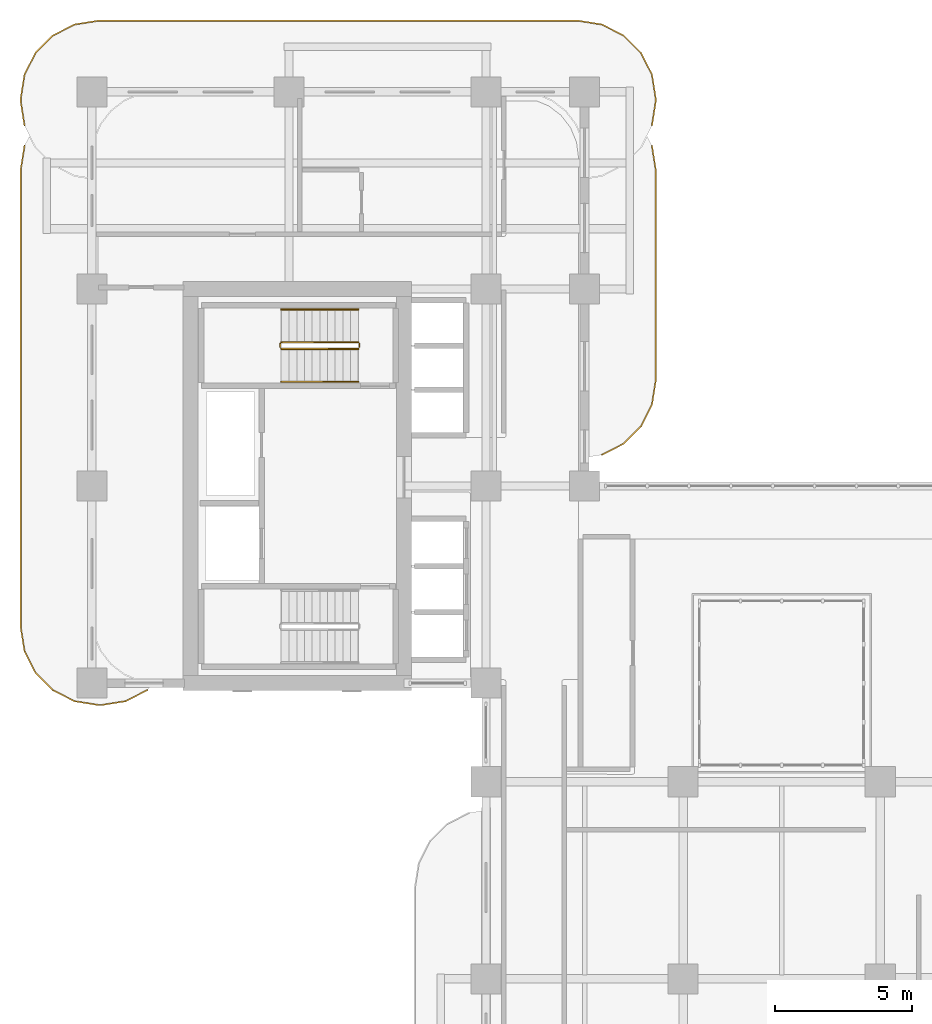
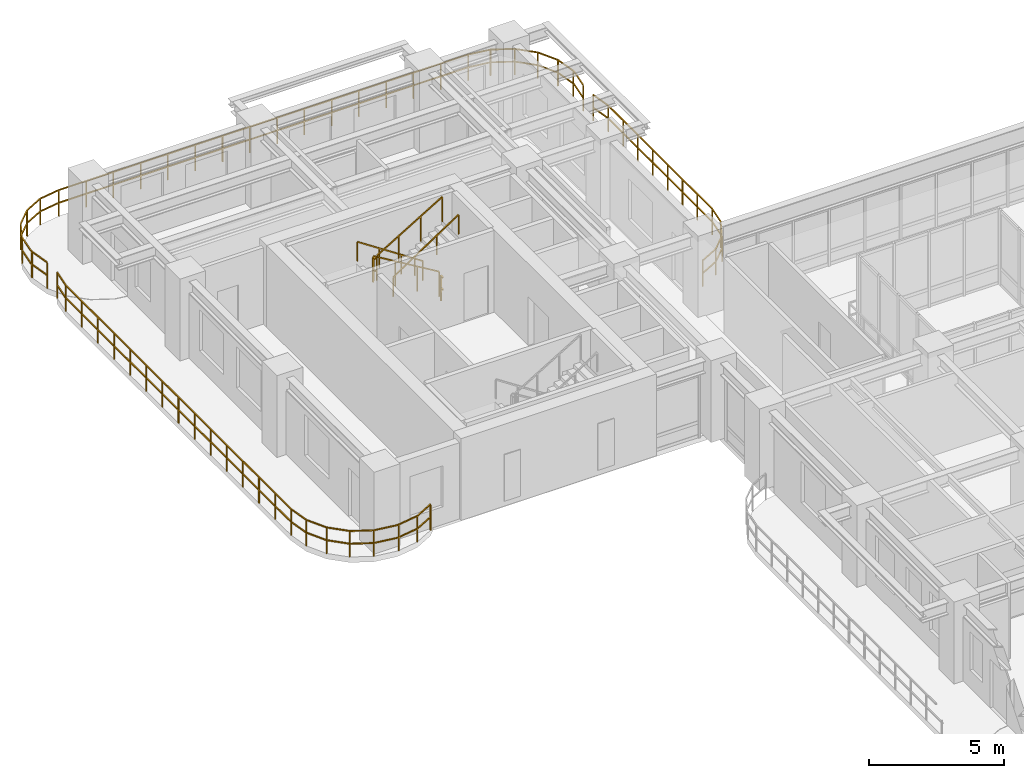
# One storey, part 22 of 22: 9 railings.
"""IFC4 building model written with IfcOpenShell, lengths in metres."""

from ifc_helpers import new_model, si_unit, derived_unit, direction, frame, origin, origin_2d, place, context, subcontext, project, spatial, rectangle, extrude, material, type_object, element, save


model = new_model("IFC4")

# Units and contexts
model_context = context("Model", 3, precision=1e-05, world=origin(), true_north=direction((0.0, 1.0)))
body_context = subcontext(model_context, "Body", "Model", "MODEL_VIEW")
ifc_project = project(units=[si_unit("LENGTHUNIT", "METRE"), si_unit("AREAUNIT", "SQUARE_METRE"), si_unit("VOLUMEUNIT", "CUBIC_METRE"), si_unit("PLANEANGLEUNIT", "RADIAN"), si_unit("MASSUNIT", "GRAM", prefix="KILO"), si_unit("THERMODYNAMICTEMPERATUREUNIT", "KELVIN"), si_unit("POWERUNIT", "WATT"), derived_unit("THERMALTRANSMITTANCEUNIT", [(si_unit("POWERUNIT", "WATT"), 1), (si_unit("AREAUNIT", "SQUARE_METRE"), -1), (si_unit("THERMODYNAMICTEMPERATUREUNIT", "KELVIN"), -1)])], contexts=[model_context])

# Site, building, storey
site_placement = place(None, origin())
site = spatial("IfcSite", under=ifc_project, at=site_placement, CompositionType="ELEMENT")
building_placement = place(site_placement, origin())
building = spatial("IfcBuilding", under=site, at=building_placement, Name="Zahravan Archway Hotel and Residences", CompositionType="ELEMENT")
storey_placement = place(building_placement, frame((0.0, 0.0, 76.800048828125)))
storey = spatial("IfcBuildingStorey", under=building, at=storey_placement, Name="L18", CompositionType="ELEMENT", Elevation=76.800048828125)

# Railings
ifc_material_1 = material(Name="Bronze & Laminated Glass Balustrade", Category="glass")
railing_type_1 = type_object("IfcRailingType", Name="RL-BAL-1200", PredefinedType="BALUSTRADE", material=ifc_material_1)
railing_1_placement = place(storey_placement, frame((-2.46044921875, 45.5693359375, 0.0)))
element("IfcRailing", 1, at=railing_1_placement, inside=storey, type_object=railing_type_1, Name="L18 Balustrade RL-SLB-BAL-L18-NB-1", PredefinedType="BALUSTRADE", context=body_context, shape_type="SweptSolid", body=[
    extrude(rectangle(XDim=0.048095703125, YDim=0.048095703125, at=origin_2d()), frame((0.0, 0.0, 1.17578125), z_axis=(-0.156623399917, 0.987658397726, 0.0), x_axis=(-0.987658397726, -0.156623399917, 0.0)), (0.0, 0.0, 1.0), 0.8916015625),
    extrude(rectangle(XDim=0.048095703125, YDim=0.048095703125, at=origin_2d()), frame((0.0, 0.0, 0.60009765625), z_axis=(-0.156623399917, 0.987658397726, 0.0), x_axis=(-0.987658397726, -0.156623399917, 0.0)), (0.0, 0.0, 1.0), 0.8916015625),
    extrude(rectangle(XDim=0.048095703125, YDim=0.048095703125, at=origin_2d()), frame((-0.1396484375, 0.880615234375, 1.17578125), z_axis=(0.0, 1.0, 0.0), x_axis=(-1.0, 0.0, 0.0)), (0.0, 0.0, 1.0), 0.10009765625),
    extrude(rectangle(XDim=0.048095703125, YDim=0.048095703125, at=origin_2d()), frame((-0.1396484375, 0.880615234375, 0.60009765625), z_axis=(0.0, 1.0, 0.0), x_axis=(-1.0, 0.0, 0.0)), (0.0, 0.0, 1.0), 0.10009765625),
    extrude(rectangle(XDim=0.048095703125, YDim=0.048095703125, at=origin_2d()), frame((-0.1396484375, 0.980712890625, 1.17578125), z_axis=(0.156623399917, 0.987658397726, 0.0), x_axis=(-0.987658397726, 0.156623399917, 0.0)), (0.0, 0.0, 1.0), 0.8916015625),
    extrude(rectangle(XDim=0.048095703125, YDim=0.048095703125, at=origin_2d()), frame((-0.1396484375, 0.980712890625, 0.60009765625), z_axis=(0.156623399917, 0.987658397726, 0.0), x_axis=(-0.987658397726, 0.156623399917, 0.0)), (0.0, 0.0, 1.0), 0.8916015625),
    extrude(rectangle(XDim=0.048095703125, YDim=0.048095703125, at=origin_2d()), frame((0.0, 1.861328125, 1.17578125), z_axis=(0.453991409995, 0.891006060389, 0.0), x_axis=(-0.891006060389, 0.453991409995, 0.0)), (0.0, 0.0, 1.0), 0.8916015625),
    extrude(rectangle(XDim=0.048095703125, YDim=0.048095703125, at=origin_2d()), frame((0.0, 1.861328125, 0.60009765625), z_axis=(0.453991409995, 0.891006060389, 0.0), x_axis=(-0.891006060389, 0.453991409995, 0.0)), (0.0, 0.0, 1.0), 0.8916015625),
    extrude(rectangle(XDim=0.048095703125, YDim=0.048095703125, at=origin_2d()), frame((0.40478515625, 2.65576171875, 1.17578125), z_axis=(0.706969864397, 0.70724367147, 0.0), x_axis=(-0.70724367147, 0.706969864397, 0.0)), (0.0, 0.0, 1.0), 0.8916015625),
    extrude(rectangle(XDim=0.048095703125, YDim=0.048095703125, at=origin_2d()), frame((0.40478515625, 2.65576171875, 0.60009765625), z_axis=(0.706969864397, 0.70724367147, 0.0), x_axis=(-0.70724367147, 0.706969864397, 0.0)), (0.0, 0.0, 1.0), 0.8916015625),
    extrude(rectangle(XDim=0.048095703125, YDim=0.048095703125, at=origin_2d()), frame((1.03515625, 3.286376953125, 1.17578125), z_axis=(0.891062476022, 0.45388067135, 0.0), x_axis=(-0.45388067135, 0.891062476022, 0.0)), (0.0, 0.0, 1.0), 0.891845703125),
    extrude(rectangle(XDim=0.048095703125, YDim=0.048095703125, at=origin_2d()), frame((1.03515625, 3.286376953125, 0.60009765625), z_axis=(0.891062476022, 0.45388067135, 0.0), x_axis=(-0.45388067135, 0.891062476022, 0.0)), (0.0, 0.0, 1.0), 0.891845703125),
    extrude(rectangle(XDim=0.048095703125, YDim=0.048095703125, at=origin_2d()), frame((1.829833984375, 3.691162109375, 1.17578125), z_axis=(0.987700720307, 0.156356282588, 0.0), x_axis=(-0.156356282588, 0.987700720307, 0.0)), (0.0, 0.0, 1.0), 0.8916015625),
    extrude(rectangle(XDim=0.048095703125, YDim=0.048095703125, at=origin_2d()), frame((1.829833984375, 3.691162109375, 0.60009765625), z_axis=(0.987700720307, 0.156356282588, 0.0), x_axis=(-0.156356282588, 0.987700720307, 0.0)), (0.0, 0.0, 1.0), 0.8916015625),
    extrude(rectangle(XDim=0.048095703125, YDim=0.048095703125, at=origin_2d()), frame((2.71044921875, 3.83056640625, 1.17578125), z_axis=(1.0, 0.0, 0.0), x_axis=(0.0, 1.0, 0.0)), (0.0, 0.0, 1.0), 17.5),
    extrude(rectangle(XDim=0.048095703125, YDim=0.048095703125, at=origin_2d()), frame((2.71044921875, 3.83056640625, 0.60009765625), z_axis=(1.0, 0.0, 0.0), x_axis=(0.0, 1.0, 0.0)), (0.0, 0.0, 1.0), 17.5),
    extrude(rectangle(XDim=0.048095703125, YDim=0.048095703125, at=origin_2d()), frame((20.21044921875, 3.83056640625, 1.17578125), z_axis=(0.987700720307, -0.156356282588, 0.0), x_axis=(0.156356282588, 0.987700720307, 0.0)), (0.0, 0.0, 1.0), 0.8916015625),
    extrude(rectangle(XDim=0.048095703125, YDim=0.048095703125, at=origin_2d()), frame((20.21044921875, 3.83056640625, 0.60009765625), z_axis=(0.987700720307, -0.156356282588, 0.0), x_axis=(0.156356282588, 0.987700720307, 0.0)), (0.0, 0.0, 1.0), 0.8916015625),
    extrude(rectangle(XDim=0.048095703125, YDim=0.048095703125, at=origin_2d()), frame((21.091064453125, 3.691162109375, 1.17578125), z_axis=(0.891062476022, -0.45388067135, 0.0), x_axis=(0.45388067135, 0.891062476022, 0.0)), (0.0, 0.0, 1.0), 0.891845703125),
    extrude(rectangle(XDim=0.048095703125, YDim=0.048095703125, at=origin_2d()), frame((21.091064453125, 3.691162109375, 0.60009765625), z_axis=(0.891062476022, -0.45388067135, 0.0), x_axis=(0.45388067135, 0.891062476022, 0.0)), (0.0, 0.0, 1.0), 0.891845703125),
    extrude(rectangle(XDim=0.048095703125, YDim=0.048095703125, at=origin_2d()), frame((21.8857421875, 3.286376953125, 1.17578125), z_axis=(0.706969864397, -0.70724367147, 0.0), x_axis=(0.70724367147, 0.706969864397, 0.0)), (0.0, 0.0, 1.0), 0.8916015625),
    extrude(rectangle(XDim=0.048095703125, YDim=0.048095703125, at=origin_2d()), frame((21.8857421875, 3.286376953125, 0.60009765625), z_axis=(0.706969864397, -0.70724367147, 0.0), x_axis=(0.70724367147, 0.706969864397, 0.0)), (0.0, 0.0, 1.0), 0.8916015625),
    extrude(rectangle(XDim=0.048095703125, YDim=0.048095703125, at=origin_2d()), frame((22.51611328125, 2.65576171875, 1.17578125), z_axis=(0.453991409995, -0.891006060389, 0.0), x_axis=(0.891006060389, 0.453991409995, 0.0)), (0.0, 0.0, 1.0), 0.8916015625),
    extrude(rectangle(XDim=0.048095703125, YDim=0.048095703125, at=origin_2d()), frame((22.51611328125, 2.65576171875, 0.60009765625), z_axis=(0.453991409995, -0.891006060389, 0.0), x_axis=(0.891006060389, 0.453991409995, 0.0)), (0.0, 0.0, 1.0), 0.8916015625),
    extrude(rectangle(XDim=0.048095703125, YDim=0.048095703125, at=origin_2d()), frame((22.9208984375, 1.861328125, 1.17578125), z_axis=(0.156623399917, -0.987658397726, 0.0), x_axis=(0.987658397726, 0.156623399917, 0.0)), (0.0, 0.0, 1.0), 0.8916015625),
    extrude(rectangle(XDim=0.048095703125, YDim=0.048095703125, at=origin_2d()), frame((22.9208984375, 1.861328125, 0.60009765625), z_axis=(0.156623399917, -0.987658397726, 0.0), x_axis=(0.987658397726, 0.156623399917, 0.0)), (0.0, 0.0, 1.0), 0.8916015625),
    extrude(rectangle(XDim=0.048095703125, YDim=0.048095703125, at=origin_2d()), frame((23.060546875, 0.980712890625, 1.17578125), z_axis=(0.0, -1.0, 0.0), x_axis=(1.0, 0.0, 0.0)), (0.0, 0.0, 1.0), 0.10009765625),
    extrude(rectangle(XDim=0.048095703125, YDim=0.048095703125, at=origin_2d()), frame((23.060546875, 0.980712890625, 0.60009765625), z_axis=(0.0, -1.0, 0.0), x_axis=(1.0, 0.0, 0.0)), (0.0, 0.0, 1.0), 0.10009765625),
    extrude(rectangle(XDim=0.048095703125, YDim=0.048095703125, at=origin_2d()), frame((23.060546875, 0.880615234375, 1.17578125), z_axis=(-0.156623399917, -0.987658397726, 0.0), x_axis=(0.987658397726, -0.156623399917, 0.0)), (0.0, 0.0, 1.0), 0.8916015625),
    extrude(rectangle(XDim=0.048095703125, YDim=0.048095703125, at=origin_2d()), frame((23.060546875, 0.880615234375, 0.60009765625), z_axis=(-0.156623399917, -0.987658397726, 0.0), x_axis=(0.987658397726, -0.156623399917, 0.0)), (0.0, 0.0, 1.0), 0.8916015625),
    extrude(rectangle(XDim=0.0419921875, YDim=0.0419921875, at=origin_2d()), origin(), (0.0, 0.0, 1.0), 1.15185546875),
    extrude(rectangle(XDim=0.0419921875, YDim=0.0419921875, at=origin_2d()), frame((-0.1396484375, 0.880615234375, 0.0)), (0.0, 0.0, 1.0), 1.15185546875),
    extrude(rectangle(XDim=0.0419921875, YDim=0.0419921875, at=origin_2d()), frame((0.0, 1.861328125, 0.0)), (0.0, 0.0, 1.0), 1.15185546875),
    extrude(rectangle(XDim=0.0419921875, YDim=0.0419921875, at=origin_2d()), frame((0.40478515625, 2.65576171875, 0.0)), (0.0, 0.0, 1.0), 1.15185546875),
    extrude(rectangle(XDim=0.0419921875, YDim=0.0419921875, at=origin_2d()), frame((1.03515625, 3.286376953125, 0.0)), (0.0, 0.0, 1.0), 1.15185546875),
    extrude(rectangle(XDim=0.0419921875, YDim=0.0419921875, at=origin_2d()), frame((1.829833984375, 3.691162109375, 0.0)), (0.0, 0.0, 1.0), 1.15185546875),
    extrude(rectangle(XDim=0.0419921875, YDim=0.0419921875, at=origin_2d()), frame((2.71044921875, 3.83056640625, 0.0)), (0.0, 0.0, 1.0), 1.15185546875),
    extrude(rectangle(XDim=0.0419921875, YDim=0.0419921875, at=origin_2d()), frame((3.877197265625, 3.83056640625, 0.0)), (0.0, 0.0, 1.0), 1.15185546875),
    extrude(rectangle(XDim=0.0419921875, YDim=0.0419921875, at=origin_2d()), frame((5.043701171875, 3.83056640625, 0.0)), (0.0, 0.0, 1.0), 1.15185546875),
    extrude(rectangle(XDim=0.0419921875, YDim=0.0419921875, at=origin_2d()), frame((6.21044921875, 3.83056640625, 0.0)), (0.0, 0.0, 1.0), 1.15185546875),
    extrude(rectangle(XDim=0.0419921875, YDim=0.0419921875, at=origin_2d()), frame((7.377197265625, 3.83056640625, 0.0)), (0.0, 0.0, 1.0), 1.15185546875),
    extrude(rectangle(XDim=0.0419921875, YDim=0.0419921875, at=origin_2d()), frame((8.543701171875, 3.83056640625, 0.0)), (0.0, 0.0, 1.0), 1.15185546875),
    extrude(rectangle(XDim=0.0419921875, YDim=0.0419921875, at=origin_2d()), frame((9.71044921875, 3.83056640625, 0.0)), (0.0, 0.0, 1.0), 1.15185546875),
    extrude(rectangle(XDim=0.0419921875, YDim=0.0419921875, at=origin_2d()), frame((10.877197265625, 3.83056640625, 0.0)), (0.0, 0.0, 1.0), 1.15185546875),
    extrude(rectangle(XDim=0.0419921875, YDim=0.0419921875, at=origin_2d()), frame((12.043701171875, 3.83056640625, 0.0)), (0.0, 0.0, 1.0), 1.15185546875),
    extrude(rectangle(XDim=0.0419921875, YDim=0.0419921875, at=origin_2d()), frame((13.21044921875, 3.83056640625, 0.0)), (0.0, 0.0, 1.0), 1.15185546875),
    extrude(rectangle(XDim=0.0419921875, YDim=0.0419921875, at=origin_2d()), frame((14.377197265625, 3.83056640625, 0.0)), (0.0, 0.0, 1.0), 1.15185546875),
    extrude(rectangle(XDim=0.0419921875, YDim=0.0419921875, at=origin_2d()), frame((15.543701171875, 3.83056640625, 0.0)), (0.0, 0.0, 1.0), 1.15185546875),
    extrude(rectangle(XDim=0.0419921875, YDim=0.0419921875, at=origin_2d()), frame((16.71044921875, 3.83056640625, 0.0)), (0.0, 0.0, 1.0), 1.15185546875),
    extrude(rectangle(XDim=0.0419921875, YDim=0.0419921875, at=origin_2d()), frame((17.877197265625, 3.83056640625, 0.0)), (0.0, 0.0, 1.0), 1.15185546875),
    extrude(rectangle(XDim=0.0419921875, YDim=0.0419921875, at=origin_2d()), frame((19.043701171875, 3.83056640625, 0.0)), (0.0, 0.0, 1.0), 1.15185546875),
    extrude(rectangle(XDim=0.0419921875, YDim=0.0419921875, at=origin_2d()), frame((20.21044921875, 3.83056640625, 0.0)), (0.0, 0.0, 1.0), 1.15185546875),
    extrude(rectangle(XDim=0.0419921875, YDim=0.0419921875, at=origin_2d()), frame((21.091064453125, 3.691162109375, 0.0)), (0.0, 0.0, 1.0), 1.15185546875),
    extrude(rectangle(XDim=0.0419921875, YDim=0.0419921875, at=origin_2d()), frame((21.8857421875, 3.286376953125, 0.0)), (0.0, 0.0, 1.0), 1.15185546875),
    extrude(rectangle(XDim=0.0419921875, YDim=0.0419921875, at=origin_2d()), frame((22.51611328125, 2.65576171875, 0.0)), (0.0, 0.0, 1.0), 1.15185546875),
    extrude(rectangle(XDim=0.0419921875, YDim=0.0419921875, at=origin_2d()), frame((22.9208984375, 1.861328125, 0.0)), (0.0, 0.0, 1.0), 1.15185546875),
    extrude(rectangle(XDim=0.0419921875, YDim=0.0419921875, at=origin_2d()), frame((23.060546875, 0.980712890625, 0.0)), (0.0, 0.0, 1.0), 1.15185546875),
    extrude(rectangle(XDim=0.0419921875, YDim=0.0419921875, at=origin_2d()), frame((22.9208984375, 0.0, 0.0)), (0.0, 0.0, 1.0), 1.15185546875),
])
railing_2_placement = place(storey_placement, frame((2.025146484375, 24.9443359375, 0.0)))
element("IfcRailing", 2, at=railing_2_placement, inside=storey, type_object=railing_type_1, Name="L18 Balustrade RL-SLB-BAL-L18-WB-1", PredefinedType="BALUSTRADE", context=body_context, shape_type="SweptSolid", body=[
    extrude(rectangle(XDim=0.048095703125, YDim=0.048095703125, at=origin_2d()), frame((0.0, 0.0, 1.17578125), z_axis=(-0.891006060389, -0.453991409995, 0.0), x_axis=(0.453991409995, -0.891006060389, 0.0)), (0.0, 0.0, 1.0), 0.8916015625),
    extrude(rectangle(XDim=0.048095703125, YDim=0.048095703125, at=origin_2d()), frame((0.0, 0.0, 0.60009765625), z_axis=(-0.891006060389, -0.453991409995, 0.0), x_axis=(0.453991409995, -0.891006060389, 0.0)), (0.0, 0.0, 1.0), 0.8916015625),
    extrude(rectangle(XDim=0.048095703125, YDim=0.048095703125, at=origin_2d()), frame((-0.79443359375, -0.40478515625, 1.17578125), z_axis=(-0.987658397726, -0.156623399917, 0.0), x_axis=(0.156623399917, -0.987658397726, 0.0)), (0.0, 0.0, 1.0), 0.8916015625),
    extrude(rectangle(XDim=0.048095703125, YDim=0.048095703125, at=origin_2d()), frame((-0.79443359375, -0.40478515625, 0.60009765625), z_axis=(-0.987658397726, -0.156623399917, 0.0), x_axis=(0.156623399917, -0.987658397726, 0.0)), (0.0, 0.0, 1.0), 0.8916015625),
    extrude(rectangle(XDim=0.048095703125, YDim=0.048095703125, at=origin_2d()), frame((-1.675048828125, -0.54443359375, 1.17578125), z_axis=(-1.0, 0.0, 0.0), x_axis=(0.0, -1.0, 0.0)), (0.0, 0.0, 1.0), 0.10009765625),
    extrude(rectangle(XDim=0.048095703125, YDim=0.048095703125, at=origin_2d()), frame((-1.675048828125, -0.54443359375, 0.60009765625), z_axis=(-1.0, 0.0, 0.0), x_axis=(0.0, -1.0, 0.0)), (0.0, 0.0, 1.0), 0.10009765625),
    extrude(rectangle(XDim=0.048095703125, YDim=0.048095703125, at=origin_2d()), frame((-1.775146484375, -0.54443359375, 1.17578125), z_axis=(-0.987658397726, 0.156623399917, 0.0), x_axis=(-0.156623399917, -0.987658397726, 0.0)), (0.0, 0.0, 1.0), 0.8916015625),
    extrude(rectangle(XDim=0.048095703125, YDim=0.048095703125, at=origin_2d()), frame((-1.775146484375, -0.54443359375, 0.60009765625), z_axis=(-0.987658397726, 0.156623399917, 0.0), x_axis=(-0.156623399917, -0.987658397726, 0.0)), (0.0, 0.0, 1.0), 0.8916015625),
    extrude(rectangle(XDim=0.048095703125, YDim=0.048095703125, at=origin_2d()), frame((-2.65576171875, -0.40478515625, 1.17578125), z_axis=(-0.891062476022, 0.45388067135, 0.0), x_axis=(-0.45388067135, -0.891062476022, 0.0)), (0.0, 0.0, 1.0), 0.891845703125),
    extrude(rectangle(XDim=0.048095703125, YDim=0.048095703125, at=origin_2d()), frame((-2.65576171875, -0.40478515625, 0.60009765625), z_axis=(-0.891062476022, 0.45388067135, 0.0), x_axis=(-0.45388067135, -0.891062476022, 0.0)), (0.0, 0.0, 1.0), 0.891845703125),
    extrude(rectangle(XDim=0.048095703125, YDim=0.048095703125, at=origin_2d()), frame((-3.450439453125, 0.0, 1.17578125), z_axis=(-0.707106781187, 0.707106781187, 0.0), x_axis=(-0.707106781187, -0.707106781187, 0.0)), (0.0, 0.0, 1.0), 0.891357421875),
    extrude(rectangle(XDim=0.048095703125, YDim=0.048095703125, at=origin_2d()), frame((-3.450439453125, 0.0, 0.60009765625), z_axis=(-0.707106781187, 0.707106781187, 0.0), x_axis=(-0.707106781187, -0.707106781187, 0.0)), (0.0, 0.0, 1.0), 0.891357421875),
    extrude(rectangle(XDim=0.048095703125, YDim=0.048095703125, at=origin_2d()), frame((-4.080810546875, 0.63037109375, 1.17578125), z_axis=(-0.45388067135, 0.891062476022, 0.0), x_axis=(-0.891062476022, -0.45388067135, 0.0)), (0.0, 0.0, 1.0), 0.891845703125),
    extrude(rectangle(XDim=0.048095703125, YDim=0.048095703125, at=origin_2d()), frame((-4.080810546875, 0.63037109375, 0.60009765625), z_axis=(-0.45388067135, 0.891062476022, 0.0), x_axis=(-0.891062476022, -0.45388067135, 0.0)), (0.0, 0.0, 1.0), 0.891845703125),
    extrude(rectangle(XDim=0.048095703125, YDim=0.048095703125, at=origin_2d()), frame((-4.485595703125, 1.425048828125, 1.17578125), z_axis=(-0.156623399917, 0.987658397726, 0.0), x_axis=(-0.987658397726, -0.156623399917, 0.0)), (0.0, 0.0, 1.0), 0.8916015625),
    extrude(rectangle(XDim=0.048095703125, YDim=0.048095703125, at=origin_2d()), frame((-4.485595703125, 1.425048828125, 0.60009765625), z_axis=(-0.156623399917, 0.987658397726, 0.0), x_axis=(-0.987658397726, -0.156623399917, 0.0)), (0.0, 0.0, 1.0), 0.8916015625),
    extrude(rectangle(XDim=0.048095703125, YDim=0.048095703125, at=origin_2d()), frame((-4.625244140625, 2.3056640625, 1.17578125), z_axis=(0.0, 1.0, 0.0), x_axis=(-1.0, 0.0, 0.0)), (0.0, 0.0, 1.0), 16.699951171875),
    extrude(rectangle(XDim=0.048095703125, YDim=0.048095703125, at=origin_2d()), frame((-4.625244140625, 2.3056640625, 0.60009765625), z_axis=(0.0, 1.0, 0.0), x_axis=(-1.0, 0.0, 0.0)), (0.0, 0.0, 1.0), 16.699951171875),
    extrude(rectangle(XDim=0.048095703125, YDim=0.048095703125, at=origin_2d()), frame((-4.625244140625, 19.005615234375, 1.17578125), z_axis=(0.156581054338, 0.98766511198, 0.0), x_axis=(-0.98766511198, 0.156581054338, 0.0)), (0.0, 0.0, 1.0), 0.891845703125),
    extrude(rectangle(XDim=0.048095703125, YDim=0.048095703125, at=origin_2d()), frame((-4.625244140625, 19.005615234375, 0.60009765625), z_axis=(0.156581054338, 0.98766511198, 0.0), x_axis=(-0.98766511198, 0.156581054338, 0.0)), (0.0, 0.0, 1.0), 0.891845703125),
    extrude(rectangle(XDim=0.0419921875, YDim=0.0419921875, at=origin_2d()), origin(), (0.0, 0.0, 1.0), 1.15185546875),
    extrude(rectangle(XDim=0.0419921875, YDim=0.0419921875, at=origin_2d()), frame((-0.79443359375, -0.40478515625, 0.0)), (0.0, 0.0, 1.0), 1.15185546875),
    extrude(rectangle(XDim=0.0419921875, YDim=0.0419921875, at=origin_2d()), frame((-1.675048828125, -0.54443359375, 0.0)), (0.0, 0.0, 1.0), 1.15185546875),
    extrude(rectangle(XDim=0.0419921875, YDim=0.0419921875, at=origin_2d()), frame((-2.65576171875, -0.40478515625, 0.0)), (0.0, 0.0, 1.0), 1.15185546875),
    extrude(rectangle(XDim=0.0419921875, YDim=0.0419921875, at=origin_2d()), frame((-3.450439453125, 0.0, 0.0)), (0.0, 0.0, 1.0), 1.15185546875),
    extrude(rectangle(XDim=0.0419921875, YDim=0.0419921875, at=origin_2d()), frame((-4.080810546875, 0.63037109375, 0.0)), (0.0, 0.0, 1.0), 1.15185546875),
    extrude(rectangle(XDim=0.0419921875, YDim=0.0419921875, at=origin_2d()), frame((-4.485595703125, 1.425048828125, 0.0)), (0.0, 0.0, 1.0), 1.15185546875),
    extrude(rectangle(XDim=0.0419921875, YDim=0.0419921875, at=origin_2d()), frame((-4.625244140625, 2.3056640625, 0.0)), (0.0, 0.0, 1.0), 1.15185546875),
    extrude(rectangle(XDim=0.0419921875, YDim=0.0419921875, at=origin_2d()), frame((-4.625244140625, 3.49853515625, 0.0)), (0.0, 0.0, 1.0), 1.15185546875),
    extrude(rectangle(XDim=0.0419921875, YDim=0.0419921875, at=origin_2d()), frame((-4.625244140625, 4.69140625, 0.0)), (0.0, 0.0, 1.0), 1.15185546875),
    extrude(rectangle(XDim=0.0419921875, YDim=0.0419921875, at=origin_2d()), frame((-4.625244140625, 5.88427734375, 0.0)), (0.0, 0.0, 1.0), 1.15185546875),
    extrude(rectangle(XDim=0.0419921875, YDim=0.0419921875, at=origin_2d()), frame((-4.625244140625, 7.0771484375, 0.0)), (0.0, 0.0, 1.0), 1.15185546875),
    extrude(rectangle(XDim=0.0419921875, YDim=0.0419921875, at=origin_2d()), frame((-4.625244140625, 8.27001953125, 0.0)), (0.0, 0.0, 1.0), 1.15185546875),
    extrude(rectangle(XDim=0.0419921875, YDim=0.0419921875, at=origin_2d()), frame((-4.625244140625, 9.462890625, 0.0)), (0.0, 0.0, 1.0), 1.15185546875),
    extrude(rectangle(XDim=0.0419921875, YDim=0.0419921875, at=origin_2d()), frame((-4.625244140625, 10.65576171875, 0.0)), (0.0, 0.0, 1.0), 1.15185546875),
    extrude(rectangle(XDim=0.0419921875, YDim=0.0419921875, at=origin_2d()), frame((-4.625244140625, 11.848388671875, 0.0)), (0.0, 0.0, 1.0), 1.15185546875),
    extrude(rectangle(XDim=0.0419921875, YDim=0.0419921875, at=origin_2d()), frame((-4.625244140625, 13.041259765625, 0.0)), (0.0, 0.0, 1.0), 1.15185546875),
    extrude(rectangle(XDim=0.0419921875, YDim=0.0419921875, at=origin_2d()), frame((-4.625244140625, 14.234130859375, 0.0)), (0.0, 0.0, 1.0), 1.15185546875),
    extrude(rectangle(XDim=0.0419921875, YDim=0.0419921875, at=origin_2d()), frame((-4.625244140625, 15.427001953125, 0.0)), (0.0, 0.0, 1.0), 1.15185546875),
    extrude(rectangle(XDim=0.0419921875, YDim=0.0419921875, at=origin_2d()), frame((-4.625244140625, 16.619873046875, 0.0)), (0.0, 0.0, 1.0), 1.15185546875),
    extrude(rectangle(XDim=0.0419921875, YDim=0.0419921875, at=origin_2d()), frame((-4.625244140625, 17.812744140625, 0.0)), (0.0, 0.0, 1.0), 1.15185546875),
    extrude(rectangle(XDim=0.0419921875, YDim=0.0419921875, at=origin_2d()), frame((-4.625244140625, 19.005615234375, 0.0)), (0.0, 0.0, 1.0), 1.15185546875),
    extrude(rectangle(XDim=0.0419921875, YDim=0.0419921875, at=origin_2d()), frame((-4.485595703125, 19.886474609375, 0.0)), (0.0, 0.0, 1.0), 1.15185546875),
])
railing_3_placement = place(storey_placement, frame((20.46044921875, 44.830810546875, 0.0)))
element("IfcRailing", 3, at=railing_3_placement, inside=storey, type_object=railing_type_1, Name="L18 Balustrade RL-SLB-BAL-L18-EB-1", PredefinedType="BALUSTRADE", context=body_context, shape_type="SweptSolid", body=[
    extrude(rectangle(XDim=0.048095703125, YDim=0.048095703125, at=origin_2d()), frame((0.0, 0.0, 1.17578125), z_axis=(0.156581054338, -0.98766511198, 0.0), x_axis=(0.98766511198, 0.156581054338, 0.0)), (0.0, 0.0, 1.0), 0.891845703125),
    extrude(rectangle(XDim=0.048095703125, YDim=0.048095703125, at=origin_2d()), frame((0.0, 0.0, 0.60009765625), z_axis=(0.156581054338, -0.98766511198, 0.0), x_axis=(0.98766511198, 0.156581054338, 0.0)), (0.0, 0.0, 1.0), 0.891845703125),
    extrude(rectangle(XDim=0.048095703125, YDim=0.048095703125, at=origin_2d()), frame((0.1396484375, -0.880859375, 1.17578125), z_axis=(0.0, -1.0, 0.0), x_axis=(1.0, 0.0, 0.0)), (0.0, 0.0, 1.0), 7.699951171875),
    extrude(rectangle(XDim=0.048095703125, YDim=0.048095703125, at=origin_2d()), frame((0.1396484375, -0.880859375, 0.60009765625), z_axis=(0.0, -1.0, 0.0), x_axis=(1.0, 0.0, 0.0)), (0.0, 0.0, 1.0), 7.699951171875),
    extrude(rectangle(XDim=0.048095703125, YDim=0.048095703125, at=origin_2d()), frame((0.1396484375, -8.580810546875, 1.17578125), z_axis=(-0.156623399917, -0.987658397726, 0.0), x_axis=(0.987658397726, -0.156623399917, 0.0)), (0.0, 0.0, 1.0), 0.8916015625),
    extrude(rectangle(XDim=0.048095703125, YDim=0.048095703125, at=origin_2d()), frame((0.1396484375, -8.580810546875, 0.60009765625), z_axis=(-0.156623399917, -0.987658397726, 0.0), x_axis=(0.987658397726, -0.156623399917, 0.0)), (0.0, 0.0, 1.0), 0.8916015625),
    extrude(rectangle(XDim=0.048095703125, YDim=0.048095703125, at=origin_2d()), frame((0.0, -9.46142578125, 1.17578125), z_axis=(-0.45388067135, -0.891062476022, 0.0), x_axis=(0.891062476022, -0.45388067135, 0.0)), (0.0, 0.0, 1.0), 0.891845703125),
    extrude(rectangle(XDim=0.048095703125, YDim=0.048095703125, at=origin_2d()), frame((0.0, -9.46142578125, 0.60009765625), z_axis=(-0.45388067135, -0.891062476022, 0.0), x_axis=(0.891062476022, -0.45388067135, 0.0)), (0.0, 0.0, 1.0), 0.891845703125),
    extrude(rectangle(XDim=0.048095703125, YDim=0.048095703125, at=origin_2d()), frame((-0.40478515625, -10.256103515625, 1.17578125), z_axis=(-0.707106781187, -0.707106781187, 0.0), x_axis=(0.707106781187, -0.707106781187, 0.0)), (0.0, 0.0, 1.0), 0.891357421875),
    extrude(rectangle(XDim=0.048095703125, YDim=0.048095703125, at=origin_2d()), frame((-0.40478515625, -10.256103515625, 0.60009765625), z_axis=(-0.707106781187, -0.707106781187, 0.0), x_axis=(0.707106781187, -0.707106781187, 0.0)), (0.0, 0.0, 1.0), 0.891357421875),
    extrude(rectangle(XDim=0.048095703125, YDim=0.048095703125, at=origin_2d()), frame((-1.03515625, -10.886474609375, 1.17578125), z_axis=(-0.891062476022, -0.45388067135, 0.0), x_axis=(0.45388067135, -0.891062476022, 0.0)), (0.0, 0.0, 1.0), 0.891845703125),
    extrude(rectangle(XDim=0.048095703125, YDim=0.048095703125, at=origin_2d()), frame((-1.03515625, -10.886474609375, 0.60009765625), z_axis=(-0.891062476022, -0.45388067135, 0.0), x_axis=(0.45388067135, -0.891062476022, 0.0)), (0.0, 0.0, 1.0), 0.891845703125),
    extrude(rectangle(XDim=0.0419921875, YDim=0.0419921875, at=origin_2d()), origin(), (0.0, 0.0, 1.0), 1.15185546875),
    extrude(rectangle(XDim=0.0419921875, YDim=0.0419921875, at=origin_2d()), frame((0.1396484375, -0.880859375, 0.0)), (0.0, 0.0, 1.0), 1.15185546875),
    extrude(rectangle(XDim=0.0419921875, YDim=0.0419921875, at=origin_2d()), frame((0.1396484375, -1.98095703125, 0.0)), (0.0, 0.0, 1.0), 1.15185546875),
    extrude(rectangle(XDim=0.0419921875, YDim=0.0419921875, at=origin_2d()), frame((0.1396484375, -3.080810546875, 0.0)), (0.0, 0.0, 1.0), 1.15185546875),
    extrude(rectangle(XDim=0.0419921875, YDim=0.0419921875, at=origin_2d()), frame((0.1396484375, -4.180908203125, 0.0)), (0.0, 0.0, 1.0), 1.15185546875),
    extrude(rectangle(XDim=0.0419921875, YDim=0.0419921875, at=origin_2d()), frame((0.1396484375, -5.28076171875, 0.0)), (0.0, 0.0, 1.0), 1.15185546875),
    extrude(rectangle(XDim=0.0419921875, YDim=0.0419921875, at=origin_2d()), frame((0.1396484375, -6.380859375, 0.0)), (0.0, 0.0, 1.0), 1.15185546875),
    extrude(rectangle(XDim=0.0419921875, YDim=0.0419921875, at=origin_2d()), frame((0.1396484375, -7.480712890625, 0.0)), (0.0, 0.0, 1.0), 1.15185546875),
    extrude(rectangle(XDim=0.0419921875, YDim=0.0419921875, at=origin_2d()), frame((0.1396484375, -8.580810546875, 0.0)), (0.0, 0.0, 1.0), 1.15185546875),
    extrude(rectangle(XDim=0.0419921875, YDim=0.0419921875, at=origin_2d()), frame((0.0, -9.46142578125, 0.0)), (0.0, 0.0, 1.0), 1.15185546875),
    extrude(rectangle(XDim=0.0419921875, YDim=0.0419921875, at=origin_2d()), frame((-0.40478515625, -10.256103515625, 0.0)), (0.0, 0.0, 1.0), 1.15185546875),
    extrude(rectangle(XDim=0.0419921875, YDim=0.0419921875, at=origin_2d()), frame((-1.03515625, -10.886474609375, 0.0)), (0.0, 0.0, 1.0), 1.15185546875),
    extrude(rectangle(XDim=0.0419921875, YDim=0.0419921875, at=origin_2d()), frame((-1.829833984375, -11.291259765625, 0.0)), (0.0, 0.0, 1.0), 1.15185546875),
])
ifc_material_2 = material(Name="Painted Tubular Steel", Category="steel")
railing_type_2 = type_object("IfcRailingType", Name="RL-STG-1150", PredefinedType="GUARDRAIL", material=ifc_material_2)
railing_4_placement = place(storey_placement, frame((9.72998046875, 37.64990234375, 0.168212890625)))
element("IfcRailing", 4, at=railing_4_placement, inside=storey, type_object=railing_type_2, Name="L18 ST-B2 stair guard 1", PredefinedType="GUARDRAIL", context=body_context, shape_type="SweptSolid", body=[
    extrude(rectangle(XDim=0.048095703125, YDim=0.048095703125, at=origin_2d()), frame((0.0, 0.0, 1.1259765625), z_axis=(-0.857275202839, 0.0, 0.514858452973), x_axis=(0.0, -1.0, 0.0)), (0.0, 0.0, 1.0), 3.26611328125),
    extrude(rectangle(XDim=0.0419921875, YDim=0.0419921875, at=origin_2d()), origin(), (0.0, 0.0, 1.0), 1.101806640625),
    extrude(rectangle(XDim=0.0419921875, YDim=0.0419921875, at=origin_2d()), frame((-0.933349609375, 0.0, 0.560546875)), (0.0, 0.0, 1.0), 1.101806640625),
    extrude(rectangle(XDim=0.0419921875, YDim=0.0419921875, at=origin_2d()), frame((-1.86669921875, 0.0, 1.12109375)), (0.0, 0.0, 1.0), 1.101806640625),
    extrude(rectangle(XDim=0.0419921875, YDim=0.0419921875, at=origin_2d()), frame((-2.800048828125, 0.0, 1.681640625)), (0.0, 0.0, 1.0), 1.101806640625),
])
railing_5_placement = place(storey_placement, frame((6.8798828125, 37.60009765625, 1.849853515625)))
element("IfcRailing", 5, at=railing_5_placement, inside=storey, type_object=railing_type_2, Name="L18 ST-B2 stair guard 2", PredefinedType="GUARDRAIL", context=body_context, shape_type="SweptSolid", body=[
    extrude(rectangle(XDim=0.048095703125, YDim=0.048095703125, at=origin_2d()), frame((0.0, 0.0, 1.1259765625), z_axis=(0.0, -1.0, 0.0), x_axis=(1.0, 0.0, 0.0)), (0.0, 0.0, 1.0), 0.14013671875),
    extrude(rectangle(XDim=0.048095703125, YDim=0.048095703125, at=origin_2d()), frame((0.0, 0.0, 0.574951171875), z_axis=(0.0, -1.0, 0.0), x_axis=(1.0, 0.0, 0.0)), (0.0, 0.0, 1.0), 0.14013671875),
    extrude(rectangle(XDim=0.0419921875, YDim=0.0419921875, at=origin_2d()), origin(), (0.0, 0.0, 1.0), 1.101806640625),
])
railing_6_placement = place(storey_placement, frame((6.929931640625, 37.409912109375, 2.01806640625)))
element("IfcRailing", 6, at=railing_6_placement, inside=storey, type_object=railing_type_2, Name="L18 ST-B2 stair guard 3", PredefinedType="GUARDRAIL", context=body_context, shape_type="SweptSolid", body=[
    extrude(rectangle(XDim=0.048095703125, YDim=0.048095703125, at=origin_2d()), frame((0.0, 0.0, 1.1259765625), z_axis=(0.857242210791, 0.0, 0.514913383045), x_axis=(0.0, 1.0, 0.0)), (0.0, 0.0, 1.0), 3.266357421875),
    extrude(rectangle(XDim=0.0419921875, YDim=0.0419921875, at=origin_2d()), origin(), (0.0, 0.0, 1.0), 1.101806640625),
    extrude(rectangle(XDim=0.0419921875, YDim=0.0419921875, at=origin_2d()), frame((0.933349609375, 0.0, 0.560546875)), (0.0, 0.0, 1.0), 1.101806640625),
    extrude(rectangle(XDim=0.0419921875, YDim=0.0419921875, at=origin_2d()), frame((1.86669921875, 0.0, 1.121337890625)), (0.0, 0.0, 1.0), 1.101806640625),
    extrude(rectangle(XDim=0.0419921875, YDim=0.0419921875, at=origin_2d()), frame((2.800048828125, 0.0, 1.681884765625)), (0.0, 0.0, 1.0), 1.101806640625),
])
railing_7_placement = place(storey_placement, frame((9.780029296875, 37.60009765625, 0.0)))
element("IfcRailing", 7, at=railing_7_placement, inside=storey, type_object=railing_type_2, Name="L18 ST-B2 stair guard 4", PredefinedType="GUARDRAIL", context=body_context, shape_type="SweptSolid", body=[
    extrude(rectangle(XDim=0.048095703125, YDim=0.048095703125, at=origin_2d()), frame((0.0, 0.0, 1.1259765625), z_axis=(0.0, -1.0, 0.0), x_axis=(1.0, 0.0, 0.0)), (0.0, 0.0, 1.0), 0.14013671875),
    extrude(rectangle(XDim=0.048095703125, YDim=0.048095703125, at=origin_2d()), frame((0.0, 0.0, 0.574951171875), z_axis=(0.0, -1.0, 0.0), x_axis=(1.0, 0.0, 0.0)), (0.0, 0.0, 1.0), 0.14013671875),
    extrude(rectangle(XDim=0.0419921875, YDim=0.0419921875, at=origin_2d()), origin(), (0.0, 0.0, 1.0), 1.101806640625),
])
ifc_material_3 = material(Name="Brushed Stainless Steel", Category="steel")
railing_type_3 = type_object("IfcRailingType", Name="RL-STH-900", PredefinedType="HANDRAIL", material=ifc_material_3)
railing_8_placement = place(storey_placement, frame((9.72998046875, 38.85009765625, 0.168212890625)))
element("IfcRailing", 8, at=railing_8_placement, inside=storey, type_object=railing_type_3, Name="L18 ST-B2 stair handrail 1", PredefinedType="HANDRAIL", context=body_context, shape_type="SweptSolid", body=[
    extrude(rectangle(XDim=0.048095703125, YDim=0.048095703125, at=origin_2d()), frame((0.0, 0.0, 0.8759765625), z_axis=(-0.83435981716, 0.0, 0.551220187865), x_axis=(0.0, -1.0, 0.0)), (0.0, 0.0, 1.0), 3.35595703125),
    extrude(rectangle(XDim=0.0419921875, YDim=0.0419921875, at=origin_2d()), origin(), (0.0, 0.0, 1.0), 0.851806640625),
    extrude(rectangle(XDim=0.0419921875, YDim=0.0419921875, at=origin_2d()), frame((-0.933349609375, 0.0, 0.61669921875)), (0.0, 0.0, 1.0), 0.851806640625),
    extrude(rectangle(XDim=0.0419921875, YDim=0.0419921875, at=origin_2d()), frame((-1.86669921875, 0.0, 1.233154296875)), (0.0, 0.0, 1.0), 0.851806640625),
    extrude(rectangle(XDim=0.0419921875, YDim=0.0419921875, at=origin_2d()), frame((-2.800048828125, 0.0, 1.849853515625)), (0.0, 0.0, 1.0), 0.851806640625),
])
railing_9_placement = place(storey_placement, frame((6.929931640625, 36.2099609375, 2.01806640625)))
element("IfcRailing", 9, at=railing_9_placement, inside=storey, type_object=railing_type_3, Name="L18 ST-B2 stair handrail 2", PredefinedType="HANDRAIL", context=body_context, shape_type="SweptSolid", body=[
    extrude(rectangle(XDim=0.048095703125, YDim=0.048095703125, at=origin_2d()), frame((0.0, 0.0, 0.8759765625), z_axis=(0.834326358476, 0.0, 0.551270829586), x_axis=(0.0, 1.0, 0.0)), (0.0, 0.0, 1.0), 3.35595703125),
    extrude(rectangle(XDim=0.0419921875, YDim=0.0419921875, at=origin_2d()), origin(), (0.0, 0.0, 1.0), 0.851806640625),
    extrude(rectangle(XDim=0.0419921875, YDim=0.0419921875, at=origin_2d()), frame((0.933349609375, 0.0, 0.61669921875)), (0.0, 0.0, 1.0), 0.851806640625),
    extrude(rectangle(XDim=0.0419921875, YDim=0.0419921875, at=origin_2d()), frame((1.86669921875, 0.0, 1.2333984375)), (0.0, 0.0, 1.0), 0.851806640625),
    extrude(rectangle(XDim=0.0419921875, YDim=0.0419921875, at=origin_2d()), frame((2.800048828125, 0.0, 1.85009765625)), (0.0, 0.0, 1.0), 0.851806640625),
])

save(model, "model.ifc")
